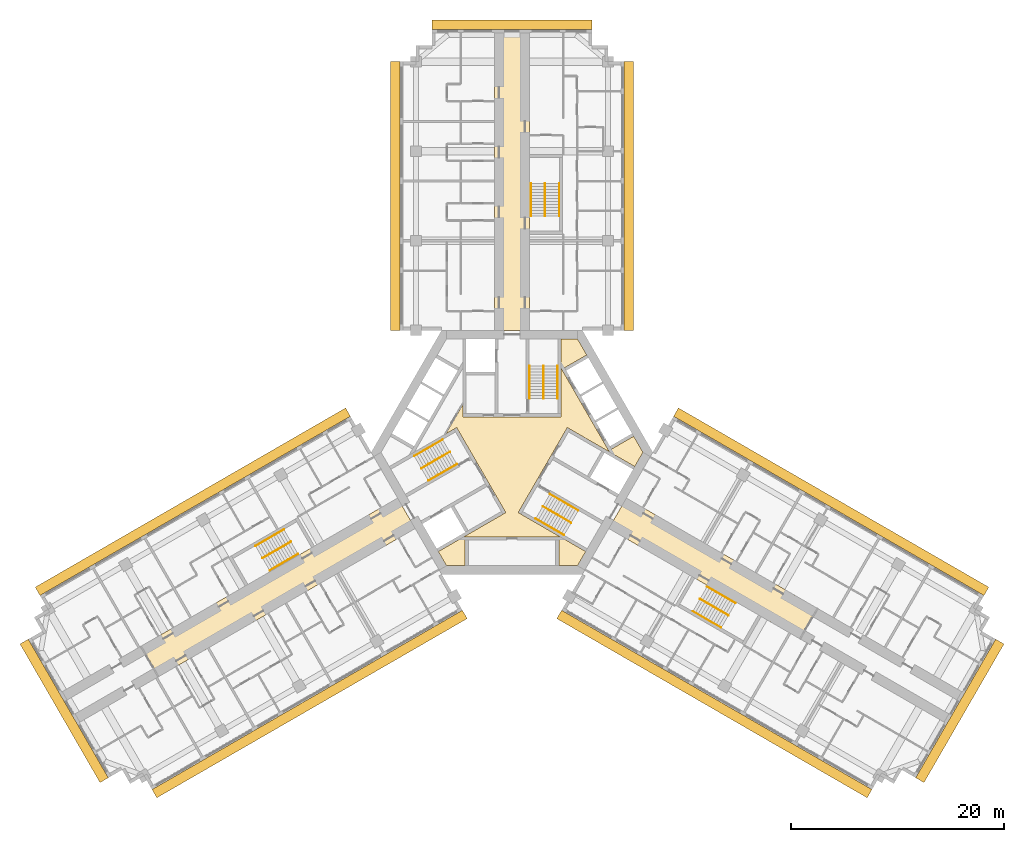
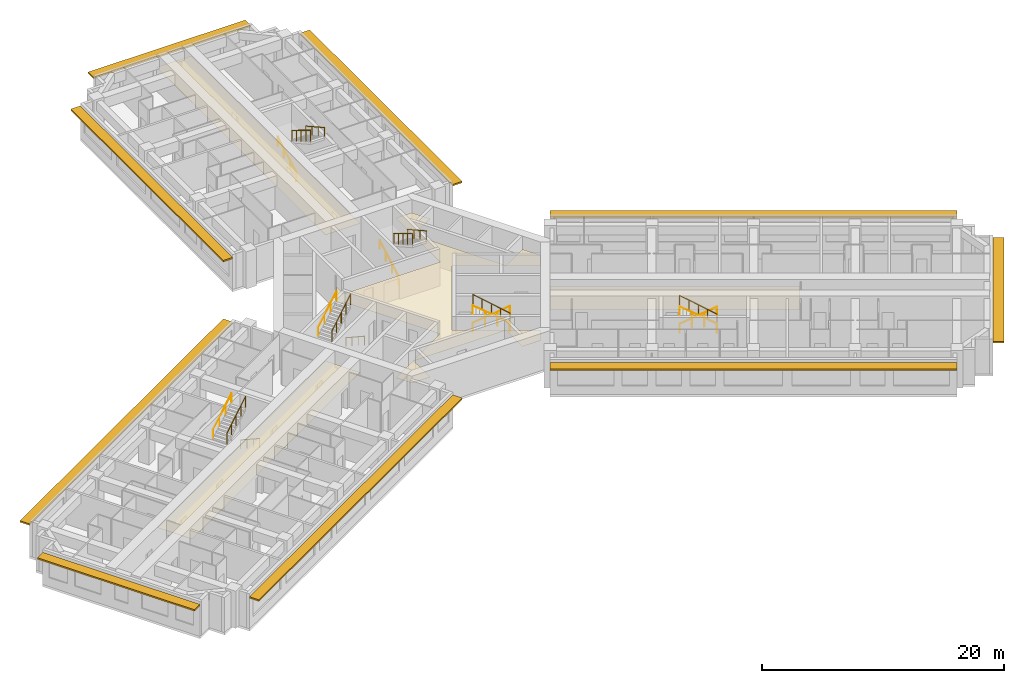
# One storey, part 15 of 15: 18 railings, 4 coverings, 3 shading devices.
"""IFC4 building model written with IfcOpenShell, lengths in metres."""

from ifc_helpers import new_model, si_unit, direction, frame, origin, origin_2d, place, context, subcontext, project, spatial, polyline, rectangle, circle, outline, extrude, material, layer, layer_set, type_object, element, save


model = new_model("IFC4")

# Units and contexts
model_context = context("Model", 3, precision=1e-05, world=origin(), true_north=direction((0.0, 1.0)))
body_context = subcontext(model_context, "Body", "Model", "MODEL_VIEW")
ifc_project = project(units=[si_unit("LENGTHUNIT", "METRE"), si_unit("AREAUNIT", "SQUARE_METRE"), si_unit("VOLUMEUNIT", "CUBIC_METRE"), si_unit("PLANEANGLEUNIT", "RADIAN"), si_unit("MASSUNIT", "GRAM", prefix="KILO")], contexts=[model_context])

# Site, building, storey
site_placement = place(None, origin())
site = spatial("IfcSite", under=ifc_project, at=site_placement, CompositionType="ELEMENT")
building_placement = place(site_placement, origin())
building = spatial("IfcBuilding", under=site, at=building_placement, Name="Impinga Residences", CompositionType="ELEMENT")
storey_placement = place(building_placement, frame((0.0, 0.0, 113.5)))
storey = spatial("IfcBuildingStorey", under=building, at=storey_placement, Name="L27", CompositionType="ELEMENT", Elevation=113.5)

# Coverings
ifc_material_1 = material(Name="Plasterboard 15 mm on steel hangers", Category="steel")
ifc_layer_1 = layer(ifc_material_1, 0.014892578125)
ifc_layer_set_1 = layer_set([ifc_layer_1], Name="Plasterboard 15 mm on steel hangers")
covering_type_1 = type_object("IfcCoveringType", Name="CL1 corridor ceiling, 15 mm plasterboard on hangers", PredefinedType="CEILING", material=ifc_layer_set_1)
covering_1_placement = place(storey_placement, frame((0.0, 0.0, 2.39990234375)))
element("IfcCovering", 1, at=covering_1_placement, inside=storey, type_object=covering_type_1, Name="Corridor ceiling CL1 L27-N00", PredefinedType="CEILING", context=body_context, shape_type="SweptSolid", body=[
    extrude(outline(polyline([(-1.64990234375, 11.431640625), (1.64990234375, 11.431640625), (1.64990234375, 39.33154296875), (-1.64990234375, 39.33154296875), (-1.64990234375, 11.431640625)])), origin(), (0.0, 0.0, 1.0), 0.01513671875),
])
covering_2_placement = place(storey_placement, frame((0.0, 0.0, 2.39990234375)))
element("IfcCovering", 2, at=covering_2_placement, inside=storey, type_object=covering_type_1, Name="Corridor ceiling CL1 L27-W00", PredefinedType="CEILING", context=body_context, shape_type="SweptSolid", body=[
    extrude(outline(polyline([(-9.074951171875, -7.144775390625), (-10.72509765625, -4.286865234375), (-34.75732421875, -18.161865234375), (-33.107177734375, -21.019775390625), (-9.074951171875, -7.144775390625)])), origin(), (0.0, 0.0, 1.0), 0.01513671875),
])
covering_3_placement = place(storey_placement, frame((0.0, 0.0, 2.39990234375)))
element("IfcCovering", 3, at=covering_3_placement, inside=storey, type_object=covering_type_1, Name="Corridor ceiling CL1 L27-E00", PredefinedType="CEILING", context=body_context, shape_type="SweptSolid", body=[
    extrude(outline(polyline([(9.074951171875, -7.144775390625), (10.72509765625, -4.286865234375), (28.60888671875, -14.612060546875), (26.958740234375, -17.469970703125), (9.074951171875, -7.144775390625)])), origin(), (0.0, 0.0, 1.0), 0.01513671875),
])
ifc_material_2 = material(Name="Mineral fibre tiles 20 mm on exposed grid", Category="mineral fibre")
ifc_layer_2 = layer(ifc_material_2, 0.02001953125)
ifc_layer_set_2 = layer_set([ifc_layer_2], Name="CL2 lift lobby ceiling, 20 mm mineral fibre tiles")
covering_type_2 = type_object("IfcCoveringType", Name="CL2 lift lobby ceiling, 20 mm mineral fibre tiles", PredefinedType="CEILING", material=ifc_layer_set_2)
covering_4_placement = place(storey_placement, frame((0.0, 0.0, 2.39990234375)))
element("IfcCovering", 4, at=covering_4_placement, inside=storey, type_object=covering_type_2, Name="Lift lobby ceiling CL2 L27-C01", PredefinedType="CEILING", context=body_context, shape_type="SweptSolid", body=[
    extrude(outline(polyline([(5.183837890625, 2.318603515625), (0.583984375, -5.648681640625), (6.9072265625, -9.299560546875), (6.13818359375, -10.631591796875), (4.39990234375, -10.631591796875), (4.39990234375, -7.931640625), (-4.39990234375, -7.931640625), (-4.39990234375, -10.631591796875), (-6.13818359375, -10.631591796875), (-6.9072265625, -9.299560546875), (-0.583984375, -5.648681640625), (-5.183837890625, 2.318603515625), (-6.193359375, 1.73583984375), (-4.60009765625, 4.49560546875), (-4.60009765625, 3.330078125), (4.60009765625, 3.330078125), (4.60009765625, 10.631591796875), (6.13818359375, 10.631591796875), (7.007080078125, 9.126220703125), (4.6689453125, 7.7763671875), (9.06884765625, 0.1552734375), (11.4072265625, 1.50537109375), (12.276123046875, 0.0), (11.507080078125, -1.33203125), (5.183837890625, 2.318603515625)])), origin(), (0.0, 0.0, 1.0), 0.02001953125),
])

# Railings
ifc_material_3 = material(Name="Steel guard, powder coated", Category="steel")
railing_type_1 = type_object("IfcRailingType", Name="GR1 stair guard 1100", PredefinedType="GUARDRAIL", material=ifc_material_3)
railing_1_placement = place(storey_placement, frame((2.949951171875, 8.110107421875, 1.875)))
element("IfcRailing", 5, at=railing_1_placement, inside=storey, type_object=railing_type_1, Name="Stair guard GR1 ST1 L27", PredefinedType="GUARDRAIL", context=body_context, shape_type="SweptSolid", body=[
    extrude(circle(Radius=0.02392578125, at=origin_2d()), frame((0.0, 0.0, 1.076171875), z_axis=(0.0, -0.854177636135, 0.519981313056), x_axis=(1.0, 0.0, 0.0)), (0.0, 0.0, 1.0), 3.60595703125),
    extrude(circle(Radius=0.02099609375, at=origin_2d()), origin(), (0.0, 0.0, 1.0), 1.052001953125),
    extrude(circle(Radius=0.02099609375, at=origin_2d()), frame((0.0, -0.77001953125, 0.46875)), (0.0, 0.0, 1.0), 1.052001953125),
    extrude(circle(Radius=0.02099609375, at=origin_2d()), frame((0.0, -1.5400390625, 0.9375)), (0.0, 0.0, 1.0), 1.052001953125),
    extrude(circle(Radius=0.02099609375, at=origin_2d()), frame((0.0, -2.31005859375, 1.40625)), (0.0, 0.0, 1.0), 1.052001953125),
    extrude(circle(Radius=0.02099609375, at=origin_2d()), frame((0.0, -3.080078125, 1.875)), (0.0, 0.0, 1.0), 1.052001953125),
])
railing_2_placement = place(storey_placement, frame((-8.49853515625, -1.500244140625, 1.875)))
element("IfcRailing", 6, at=railing_2_placement, inside=storey, type_object=railing_type_1, Name="Stair guard GR1 ST2 L27", PredefinedType="GUARDRAIL", context=body_context, shape_type="SweptSolid", body=[
    extrude(circle(Radius=0.02392578125, at=origin_2d()), frame((0.0, 0.0, 1.076171875), z_axis=(0.739746383972, 0.427084037168, 0.519975492303), x_axis=(-0.499992328818, 0.866029832698, 0.0)), (0.0, 0.0, 1.0), 3.60595703125),
    extrude(circle(Radius=0.02099609375, at=origin_2d()), origin(), (0.0, 0.0, 1.0), 1.052001953125),
    extrude(circle(Radius=0.02099609375, at=origin_2d()), frame((0.6669921875, 0.385009765625, 0.46875)), (0.0, 0.0, 1.0), 1.052001953125),
    extrude(circle(Radius=0.02099609375, at=origin_2d()), frame((1.333740234375, 0.77001953125, 0.9375)), (0.0, 0.0, 1.0), 1.052001953125),
    extrude(circle(Radius=0.02099609375, at=origin_2d()), frame((2.00048828125, 1.155029296875, 1.40625)), (0.0, 0.0, 1.0), 1.052001953125),
    extrude(circle(Radius=0.02099609375, at=origin_2d()), frame((2.66748046875, 1.5400390625, 1.875)), (0.0, 0.0, 1.0), 1.052001953125),
])
railing_3_placement = place(storey_placement, frame((5.548583984375, -6.60986328125, 1.875)))
element("IfcRailing", 7, at=railing_3_placement, inside=storey, type_object=railing_type_1, Name="Stair guard GR1 ST3 L27", PredefinedType="GUARDRAIL", context=body_context, shape_type="SweptSolid", body=[
    extrude(circle(Radius=0.02392578125, at=origin_2d()), frame((0.0, 0.0, 1.076171875), z_axis=(-0.739746383972, 0.427084037168, 0.519975492303), x_axis=(-0.499992328818, -0.866029832698, 0.0)), (0.0, 0.0, 1.0), 3.60595703125),
    extrude(circle(Radius=0.02099609375, at=origin_2d()), origin(), (0.0, 0.0, 1.0), 1.052001953125),
    extrude(circle(Radius=0.02099609375, at=origin_2d()), frame((-0.6669921875, 0.385009765625, 0.46875)), (0.0, 0.0, 1.0), 1.052001953125),
    extrude(circle(Radius=0.02099609375, at=origin_2d()), frame((-1.333740234375, 0.77001953125, 0.9375)), (0.0, 0.0, 1.0), 1.052001953125),
    extrude(circle(Radius=0.02099609375, at=origin_2d()), frame((-2.00048828125, 1.155029296875, 1.40625)), (0.0, 0.0, 1.0), 1.052001953125),
    extrude(circle(Radius=0.02099609375, at=origin_2d()), frame((-2.66748046875, 1.5400390625, 1.875)), (0.0, 0.0, 1.0), 1.052001953125),
])
railing_4_placement = place(storey_placement, frame((3.10009765625, 25.21142578125, 1.875)))
element("IfcRailing", 8, at=railing_4_placement, inside=storey, type_object=railing_type_1, Name="Stair guard GR1 WS1 L27", PredefinedType="GUARDRAIL", context=body_context, shape_type="SweptSolid", body=[
    extrude(circle(Radius=0.02392578125, at=origin_2d()), frame((0.0, 0.0, 1.076171875), z_axis=(0.0, -0.854159328187, 0.520011386482), x_axis=(1.0, 0.0, 0.0)), (0.0, 0.0, 1.0), 3.605712890625),
    extrude(circle(Radius=0.02099609375, at=origin_2d()), origin(), (0.0, 0.0, 1.0), 1.052001953125),
    extrude(circle(Radius=0.02099609375, at=origin_2d()), frame((0.0, -0.77001953125, 0.46875)), (0.0, 0.0, 1.0), 1.052001953125),
    extrude(circle(Radius=0.02099609375, at=origin_2d()), frame((0.0, -1.5400390625, 0.9375)), (0.0, 0.0, 1.0), 1.052001953125),
    extrude(circle(Radius=0.02099609375, at=origin_2d()), frame((0.0, -2.309814453125, 1.40625)), (0.0, 0.0, 1.0), 1.052001953125),
    extrude(circle(Radius=0.02099609375, at=origin_2d()), frame((0.0, -3.079833984375, 1.875)), (0.0, 0.0, 1.0), 1.052001953125),
])
railing_5_placement = place(storey_placement, frame((-23.3837890625, -9.921142578125, 1.875)))
element("IfcRailing", 9, at=railing_5_placement, inside=storey, type_object=railing_type_1, Name="Stair guard GR1 WS2 L27", PredefinedType="GUARDRAIL", context=body_context, shape_type="SweptSolid", body=[
    extrude(circle(Radius=0.02392578125, at=origin_2d()), frame((0.0, 0.0, 1.076171875), z_axis=(0.739715726454, 0.427105428144, 0.52000153585), x_axis=(-0.500026652407, 0.866010015463, 0.0)), (0.0, 0.0, 1.0), 3.605712890625),
    extrude(circle(Radius=0.02099609375, at=origin_2d()), origin(), (0.0, 0.0, 1.0), 1.052001953125),
    extrude(circle(Radius=0.02099609375, at=origin_2d()), frame((0.666748046875, 0.385009765625, 0.46875)), (0.0, 0.0, 1.0), 1.052001953125),
    extrude(circle(Radius=0.02099609375, at=origin_2d()), frame((1.33349609375, 0.77001953125, 0.9375)), (0.0, 0.0, 1.0), 1.052001953125),
    extrude(circle(Radius=0.02099609375, at=origin_2d()), frame((2.00048828125, 1.155029296875, 1.40625)), (0.0, 0.0, 1.0), 1.052001953125),
    extrude(circle(Radius=0.02099609375, at=origin_2d()), frame((2.667236328125, 1.5400390625, 1.875)), (0.0, 0.0, 1.0), 1.052001953125),
])
railing_6_placement = place(storey_placement, frame((20.283935546875, -15.29052734375, 1.875)))
element("IfcRailing", 10, at=railing_6_placement, inside=storey, type_object=railing_type_1, Name="Stair guard GR1 WS3 L27", PredefinedType="GUARDRAIL", context=body_context, shape_type="SweptSolid", body=[
    extrude(circle(Radius=0.02392578125, at=origin_2d()), frame((0.0, 0.0, 1.076171875), z_axis=(-0.739746383972, 0.427084037168, 0.519975492303), x_axis=(-0.499992328818, -0.866029832698, 0.0)), (0.0, 0.0, 1.0), 3.60595703125),
    extrude(circle(Radius=0.02099609375, at=origin_2d()), origin(), (0.0, 0.0, 1.0), 1.052001953125),
    extrude(circle(Radius=0.02099609375, at=origin_2d()), frame((-0.6669921875, 0.385009765625, 0.46875)), (0.0, 0.0, 1.0), 1.052001953125),
    extrude(circle(Radius=0.02099609375, at=origin_2d()), frame((-1.333740234375, 0.77001953125, 0.9375)), (0.0, 0.0, 1.0), 1.052001953125),
    extrude(circle(Radius=0.02099609375, at=origin_2d()), frame((-2.00048828125, 1.155029296875, 1.40625)), (0.0, 0.0, 1.0), 1.052001953125),
    extrude(circle(Radius=0.02099609375, at=origin_2d()), frame((-2.66748046875, 1.5400390625, 1.875)), (0.0, 0.0, 1.0), 1.052001953125),
])
ifc_material_4 = material(Name="Steel handrail tube 42 mm, powder coated", Category="steel")
railing_type_2 = type_object("IfcRailingType", Name="HR1 stair handrail, 42 mm steel tube, 900 above the pitch line", PredefinedType="HANDRAIL", material=ifc_material_4)
railing_7_placement = place(storey_placement, frame((1.62109375, 5.030029296875, 0.15625)))
element("IfcRailing", 11, at=railing_7_placement, inside=storey, type_object=railing_type_2, Name="Stair handrail HR1 ST1 L27", PredefinedType="HANDRAIL", context=body_context, shape_type="SweptSolid", body=[
    extrude(circle(Radius=0.02099609375, at=origin_2d()), frame((0.0, 0.0, 0.87890625), z_axis=(0.0, 0.873241540666, 0.487287606713), x_axis=(-1.0, 0.0, 0.0)), (0.0, 0.0, 1.0), 3.527099609375),
    extrude(circle(Radius=0.012451171875, at=origin_2d()), origin(), (0.0, 0.0, 1.0), 0.85791015625),
    extrude(circle(Radius=0.012451171875, at=origin_2d()), frame((0.0, 1.026611328125, 0.572998046875)), (0.0, 0.0, 1.0), 0.85791015625),
    extrude(circle(Radius=0.012451171875, at=origin_2d()), frame((0.0, 2.053466796875, 1.145751953125)), (0.0, 0.0, 1.0), 0.85791015625),
    extrude(circle(Radius=0.012451171875, at=origin_2d()), frame((0.0, 3.080078125, 1.71875)), (0.0, 0.0, 1.0), 0.85791015625),
])
railing_8_placement = place(storey_placement, frame((4.279052734375, 8.110107421875, 2.03125)))
element("IfcRailing", 12, at=railing_8_placement, inside=storey, type_object=railing_type_2, Name="Stair handrail HR1 ST1 L27", PredefinedType="HANDRAIL", context=body_context, shape_type="SweptSolid", body=[
    extrude(circle(Radius=0.02099609375, at=origin_2d()), frame((0.0, 0.0, 0.87890625), z_axis=(0.0, -0.873241540666, 0.487287606713), x_axis=(1.0, 0.0, 0.0)), (0.0, 0.0, 1.0), 3.527099609375),
    extrude(circle(Radius=0.012451171875, at=origin_2d()), origin(), (0.0, 0.0, 1.0), 0.85791015625),
    extrude(circle(Radius=0.012451171875, at=origin_2d()), frame((0.0, -1.026611328125, 0.572998046875)), (0.0, 0.0, 1.0), 0.85791015625),
    extrude(circle(Radius=0.012451171875, at=origin_2d()), frame((0.0, -2.053466796875, 1.145751953125)), (0.0, 0.0, 1.0), 0.85791015625),
    extrude(circle(Radius=0.012451171875, at=origin_2d()), frame((0.0, -3.080078125, 1.71875)), (0.0, 0.0, 1.0), 0.85791015625),
])
railing_9_placement = place(storey_placement, frame((-5.16650390625, -1.111083984375, 0.15625)))
element("IfcRailing", 13, at=railing_9_placement, inside=storey, type_object=railing_type_2, Name="Stair handrail HR1 ST2 L27", PredefinedType="HANDRAIL", context=body_context, shape_type="SweptSolid", body=[
    extrude(circle(Radius=0.02099609375, at=origin_2d()), frame((0.0, 0.0, 0.87890625), z_axis=(-0.756255980417, -0.436615662133, 0.487281905742), x_axis=(0.499992328818, -0.866029832698, 0.0)), (0.0, 0.0, 1.0), 3.527099609375),
    extrude(circle(Radius=0.012451171875, at=origin_2d()), origin(), (0.0, 0.0, 1.0), 0.85791015625),
    extrude(circle(Radius=0.012451171875, at=origin_2d()), frame((-0.88916015625, -0.513427734375, 0.572998046875)), (0.0, 0.0, 1.0), 0.85791015625),
    extrude(circle(Radius=0.012451171875, at=origin_2d()), frame((-1.7783203125, -1.026611328125, 1.145751953125)), (0.0, 0.0, 1.0), 0.85791015625),
    extrude(circle(Radius=0.012451171875, at=origin_2d()), frame((-2.66748046875, -1.5400390625, 1.71875)), (0.0, 0.0, 1.0), 0.85791015625),
])
railing_10_placement = place(storey_placement, frame((-9.1630859375, -0.349365234375, 2.03125)))
element("IfcRailing", 14, at=railing_10_placement, inside=storey, type_object=railing_type_2, Name="Stair handrail HR1 ST2 L27", PredefinedType="HANDRAIL", context=body_context, shape_type="SweptSolid", body=[
    extrude(circle(Radius=0.02099609375, at=origin_2d()), frame((0.0, 0.0, 0.87890625), z_axis=(0.756255980417, 0.436615662133, 0.487281905742), x_axis=(-0.499992328818, 0.866029832698, 0.0)), (0.0, 0.0, 1.0), 3.527099609375),
    extrude(circle(Radius=0.012451171875, at=origin_2d()), origin(), (0.0, 0.0, 1.0), 0.85791015625),
    extrude(circle(Radius=0.012451171875, at=origin_2d()), frame((0.88916015625, 0.513427734375, 0.572998046875)), (0.0, 0.0, 1.0), 0.85791015625),
    extrude(circle(Radius=0.012451171875, at=origin_2d()), frame((1.7783203125, 1.026611328125, 1.145751953125)), (0.0, 0.0, 1.0), 0.85791015625),
    extrude(circle(Radius=0.012451171875, at=origin_2d()), frame((2.66748046875, 1.5400390625, 1.71875)), (0.0, 0.0, 1.0), 0.85791015625),
])
railing_11_placement = place(storey_placement, frame((3.545654296875, -3.9189453125, 0.15625)))
element("IfcRailing", 15, at=railing_11_placement, inside=storey, type_object=railing_type_2, Name="Stair handrail HR1 ST3 L27", PredefinedType="HANDRAIL", context=body_context, shape_type="SweptSolid", body=[
    extrude(circle(Radius=0.02099609375, at=origin_2d()), frame((0.0, 0.0, 0.87890625), z_axis=(0.756249203677, -0.436582492228, 0.487322141317), x_axis=(0.499967199496, 0.866044340336, 0.0)), (0.0, 0.0, 1.0), 3.52685546875),
    extrude(circle(Radius=0.012451171875, at=origin_2d()), origin(), (0.0, 0.0, 1.0), 0.85791015625),
    extrude(circle(Radius=0.012451171875, at=origin_2d()), frame((0.88916015625, -0.51318359375, 0.572998046875)), (0.0, 0.0, 1.0), 0.85791015625),
    extrude(circle(Radius=0.012451171875, at=origin_2d()), frame((1.778076171875, -1.026611328125, 1.145751953125)), (0.0, 0.0, 1.0), 0.85791015625),
    extrude(circle(Radius=0.012451171875, at=origin_2d()), frame((2.667236328125, -1.539794921875, 1.71875)), (0.0, 0.0, 1.0), 0.85791015625),
])
railing_12_placement = place(storey_placement, frame((4.884033203125, -7.7607421875, 2.03125)))
element("IfcRailing", 16, at=railing_12_placement, inside=storey, type_object=railing_type_2, Name="Stair handrail HR1 ST3 L27", PredefinedType="HANDRAIL", context=body_context, shape_type="SweptSolid", body=[
    extrude(circle(Radius=0.02099609375, at=origin_2d()), frame((0.0, 0.0, 0.87890625), z_axis=(-0.756255980417, 0.436615662133, 0.487281905742), x_axis=(-0.499992328818, -0.866029832698, 0.0)), (0.0, 0.0, 1.0), 3.527099609375),
    extrude(circle(Radius=0.012451171875, at=origin_2d()), origin(), (0.0, 0.0, 1.0), 0.85791015625),
    extrude(circle(Radius=0.012451171875, at=origin_2d()), frame((-0.88916015625, 0.513427734375, 0.572998046875)), (0.0, 0.0, 1.0), 0.85791015625),
    extrude(circle(Radius=0.012451171875, at=origin_2d()), frame((-1.7783203125, 1.026611328125, 1.145751953125)), (0.0, 0.0, 1.0), 0.85791015625),
    extrude(circle(Radius=0.012451171875, at=origin_2d()), frame((-2.66748046875, 1.5400390625, 1.71875)), (0.0, 0.0, 1.0), 0.85791015625),
])
railing_13_placement = place(storey_placement, frame((1.77099609375, 22.131591796875, 0.15625)))
element("IfcRailing", 17, at=railing_13_placement, inside=storey, type_object=railing_type_2, Name="Stair handrail HR1 WS1 L27", PredefinedType="HANDRAIL", context=body_context, shape_type="SweptSolid", body=[
    extrude(circle(Radius=0.02099609375, at=origin_2d()), frame((0.0, 0.0, 0.87890625), z_axis=(0.0, 0.873225103656, 0.487317061414), x_axis=(-1.0, 0.0, 0.0)), (0.0, 0.0, 1.0), 3.52685546875),
    extrude(circle(Radius=0.012451171875, at=origin_2d()), origin(), (0.0, 0.0, 1.0), 0.85791015625),
    extrude(circle(Radius=0.012451171875, at=origin_2d()), frame((0.0, 1.026611328125, 0.572998046875)), (0.0, 0.0, 1.0), 0.85791015625),
    extrude(circle(Radius=0.012451171875, at=origin_2d()), frame((0.0, 2.05322265625, 1.145751953125)), (0.0, 0.0, 1.0), 0.85791015625),
    extrude(circle(Radius=0.012451171875, at=origin_2d()), frame((0.0, 3.079833984375, 1.71875)), (0.0, 0.0, 1.0), 0.85791015625),
])
railing_14_placement = place(storey_placement, frame((4.428955078125, 25.21142578125, 2.03125)))
element("IfcRailing", 18, at=railing_14_placement, inside=storey, type_object=railing_type_2, Name="Stair handrail HR1 WS1 L27", PredefinedType="HANDRAIL", context=body_context, shape_type="SweptSolid", body=[
    extrude(circle(Radius=0.02099609375, at=origin_2d()), frame((0.0, 0.0, 0.87890625), z_axis=(0.0, -0.873225103656, 0.487317061414), x_axis=(1.0, 0.0, 0.0)), (0.0, 0.0, 1.0), 3.52685546875),
    extrude(circle(Radius=0.012451171875, at=origin_2d()), origin(), (0.0, 0.0, 1.0), 0.85791015625),
    extrude(circle(Radius=0.012451171875, at=origin_2d()), frame((0.0, -1.026611328125, 0.572998046875)), (0.0, 0.0, 1.0), 0.85791015625),
    extrude(circle(Radius=0.012451171875, at=origin_2d()), frame((0.0, -2.05322265625, 1.145751953125)), (0.0, 0.0, 1.0), 0.85791015625),
    extrude(circle(Radius=0.012451171875, at=origin_2d()), frame((0.0, -3.079833984375, 1.71875)), (0.0, 0.0, 1.0), 0.85791015625),
])
railing_15_placement = place(storey_placement, frame((-20.052001953125, -9.531982421875, 0.15625)))
element("IfcRailing", 19, at=railing_15_placement, inside=storey, type_object=railing_type_2, Name="Stair handrail HR1 WS2 L27", PredefinedType="HANDRAIL", context=body_context, shape_type="SweptSolid", body=[
    extrude(circle(Radius=0.02099609375, at=origin_2d()), frame((0.0, 0.0, 0.87890625), z_axis=(-0.756226348243, -0.436638517594, 0.487307413422), x_axis=(0.500026652407, -0.866010015463, 0.0)), (0.0, 0.0, 1.0), 3.527099609375),
    extrude(circle(Radius=0.012451171875, at=origin_2d()), origin(), (0.0, 0.0, 1.0), 0.85791015625),
    extrude(circle(Radius=0.012451171875, at=origin_2d()), frame((-0.88916015625, -0.513427734375, 0.572998046875)), (0.0, 0.0, 1.0), 0.85791015625),
    extrude(circle(Radius=0.012451171875, at=origin_2d()), frame((-1.778076171875, -1.026611328125, 1.145751953125)), (0.0, 0.0, 1.0), 0.85791015625),
    extrude(circle(Radius=0.012451171875, at=origin_2d()), frame((-2.667236328125, -1.5400390625, 1.71875)), (0.0, 0.0, 1.0), 0.85791015625),
])
railing_16_placement = place(storey_placement, frame((-24.04833984375, -8.77001953125, 2.03125)))
element("IfcRailing", 20, at=railing_16_placement, inside=storey, type_object=railing_type_2, Name="Stair handrail HR1 WS2 L27", PredefinedType="HANDRAIL", context=body_context, shape_type="SweptSolid", body=[
    extrude(circle(Radius=0.02099609375, at=origin_2d()), frame((0.0, 0.0, 0.87890625), z_axis=(0.756278834354, 0.436559638319, 0.487296631324), x_axis=(-0.499932877268, 0.866064153644, 0.0)), (0.0, 0.0, 1.0), 3.527099609375),
    extrude(circle(Radius=0.012451171875, at=origin_2d()), origin(), (0.0, 0.0, 1.0), 0.85791015625),
    extrude(circle(Radius=0.012451171875, at=origin_2d()), frame((0.88916015625, 0.51318359375, 0.572998046875)), (0.0, 0.0, 1.0), 0.85791015625),
    extrude(circle(Radius=0.012451171875, at=origin_2d()), frame((1.7783203125, 1.026611328125, 1.145751953125)), (0.0, 0.0, 1.0), 0.85791015625),
    extrude(circle(Radius=0.012451171875, at=origin_2d()), frame((2.66748046875, 1.539794921875, 1.71875)), (0.0, 0.0, 1.0), 0.85791015625),
])
railing_17_placement = place(storey_placement, frame((18.281005859375, -12.599609375, 0.15625)))
element("IfcRailing", 21, at=railing_17_placement, inside=storey, type_object=railing_type_2, Name="Stair handrail HR1 WS3 L27", PredefinedType="HANDRAIL", context=body_context, shape_type="SweptSolid", body=[
    extrude(circle(Radius=0.02099609375, at=origin_2d()), frame((0.0, 0.0, 0.87890625), z_axis=(0.756249203677, -0.436582492228, 0.487322141317), x_axis=(0.499967199496, 0.866044340336, 0.0)), (0.0, 0.0, 1.0), 3.52685546875),
    extrude(circle(Radius=0.012451171875, at=origin_2d()), origin(), (0.0, 0.0, 1.0), 0.85791015625),
    extrude(circle(Radius=0.012451171875, at=origin_2d()), frame((0.88916015625, -0.51318359375, 0.572998046875)), (0.0, 0.0, 1.0), 0.85791015625),
    extrude(circle(Radius=0.012451171875, at=origin_2d()), frame((1.778076171875, -1.026611328125, 1.145751953125)), (0.0, 0.0, 1.0), 0.85791015625),
    extrude(circle(Radius=0.012451171875, at=origin_2d()), frame((2.667236328125, -1.539794921875, 1.71875)), (0.0, 0.0, 1.0), 0.85791015625),
])
railing_18_placement = place(storey_placement, frame((19.619384765625, -16.44140625, 2.03125)))
element("IfcRailing", 22, at=railing_18_placement, inside=storey, type_object=railing_type_2, Name="Stair handrail HR1 WS3 L27", PredefinedType="HANDRAIL", context=body_context, shape_type="SweptSolid", body=[
    extrude(circle(Radius=0.02099609375, at=origin_2d()), frame((0.0, 0.0, 0.87890625), z_axis=(-0.756255980417, 0.436615662133, 0.487281905742), x_axis=(-0.499992328818, -0.866029832698, 0.0)), (0.0, 0.0, 1.0), 3.527099609375),
    extrude(circle(Radius=0.012451171875, at=origin_2d()), origin(), (0.0, 0.0, 1.0), 0.85791015625),
    extrude(circle(Radius=0.012451171875, at=origin_2d()), frame((-0.88916015625, 0.513427734375, 0.572998046875)), (0.0, 0.0, 1.0), 0.85791015625),
    extrude(circle(Radius=0.012451171875, at=origin_2d()), frame((-1.7783203125, 1.026611328125, 1.145751953125)), (0.0, 0.0, 1.0), 0.85791015625),
    extrude(circle(Radius=0.012451171875, at=origin_2d()), frame((-2.66748046875, 1.5400390625, 1.71875)), (0.0, 0.0, 1.0), 0.85791015625),
])

# Shading devices
ifc_material_5 = material(Name="Terracotta sunshade blades on aluminium brackets", Category="masonry")
ifc_layer_3 = layer(ifc_material_5, 0.14990234375)
ifc_layer_set_3 = layer_set([ifc_layer_3], Name="SS1 SUNSHADE terracotta sunshade band 900")
shading_device_type = type_object("IfcShadingDeviceType", Name="SS1 SUNSHADE terracotta sunshade band 900", PredefinedType="USERDEFINED", material=ifc_layer_set_3)
shading_device_1_placement = place(storey_placement, frame((-10.949951171875, 24.031494140625, 3.10009765625), z_axis=(0.0, 0.0, 1.0), x_axis=(0.0, 1.0, 0.0)))
element("IfcShadingDevice", 23, at=shading_device_1_placement, inside=storey, type_object=shading_device_type, Name="SUNSHADE band L27 NORTH WING", ObjectType="SUNSHADE", PredefinedType="USERDEFINED", context=body_context, shape_type="SweptSolid", body=[
    extrude(rectangle(XDim=25.199951171875, YDim=0.89990234375, at=origin_2d()), origin(), (0.0, 0.0, 1.0), 0.14990234375),
    extrude(rectangle(XDim=15.0, YDim=0.89990234375, at=origin_2d()), frame((16.050048828125, -10.949951171875, 0.0), z_axis=(0.0, 0.0, 1.0), x_axis=(0.0, -1.0, 0.0)), (0.0, 0.0, 1.0), 0.14990234375),
    extrude(rectangle(XDim=25.199951171875, YDim=0.89990234375, at=origin_2d()), frame((0.0, -21.89990234375, 0.0), z_axis=(0.0, 0.0, 1.0), x_axis=(-1.0, 0.0, 0.0)), (0.0, 0.0, 1.0), 0.14990234375),
])
shading_device_2_placement = place(storey_placement, frame((-41.986328125, -24.24072265625, 3.10009765625), z_axis=(0.0, 0.0, 1.0), x_axis=(-0.5, 0.866025403784, 0.0)))
element("IfcShadingDevice", 24, at=shading_device_2_placement, inside=storey, type_object=shading_device_type, Name="SUNSHADE band L27 WEST WING", ObjectType="SUNSHADE", PredefinedType="USERDEFINED", context=body_context, shape_type="SweptSolid", body=[
    extrude(rectangle(XDim=15.0, YDim=0.89990234375, at=origin_2d()), origin(), (0.0, 0.0, 1.0), 0.14990234375),
    extrude(rectangle(XDim=33.60009765625, YDim=0.89990234375, at=origin_2d()), frame((10.949951171875, -20.25, 0.0), z_axis=(0.0, 0.0, 1.0), x_axis=(0.0, -1.0, 0.0)), (0.0, 0.0, 1.0), 0.14990234375),
    extrude(rectangle(XDim=33.60009765625, YDim=0.89990234375, at=origin_2d()), frame((-10.949951171875, -20.250244140625, 0.0), z_axis=(0.0, 0.0, 1.0), x_axis=(0.0, 1.0, 0.0)), (0.0, 0.0, 1.0), 0.14990234375),
])
shading_device_3_placement = place(storey_placement, frame((29.92431640625, -4.6328125, 3.10009765625), z_axis=(0.0, 0.0, 1.0), x_axis=(0.866025403784, -0.5, 0.0)))
element("IfcShadingDevice", 25, at=shading_device_3_placement, inside=storey, type_object=shading_device_type, Name="SUNSHADE band L27 EAST WING", ObjectType="SUNSHADE", PredefinedType="USERDEFINED", context=body_context, shape_type="SweptSolid", body=[
    extrude(rectangle(XDim=33.60009765625, YDim=0.89990234375, at=origin_2d()), origin(), (0.0, 0.0, 1.0), 0.14990234375),
    extrude(rectangle(XDim=15.0, YDim=0.89990234375, at=origin_2d()), frame((20.25, -10.949951171875, 0.0), z_axis=(0.0, 0.0, 1.0), x_axis=(0.0, -1.0, 0.0)), (0.0, 0.0, 1.0), 0.14990234375),
    extrude(rectangle(XDim=33.60009765625, YDim=0.89990234375, at=origin_2d()), frame((-0.000244140625, -21.89990234375, 0.0), z_axis=(0.0, 0.0, 1.0), x_axis=(-1.0, 0.0, 0.0)), (0.0, 0.0, 1.0), 0.14990234375),
])

save(model, "model.ifc")
